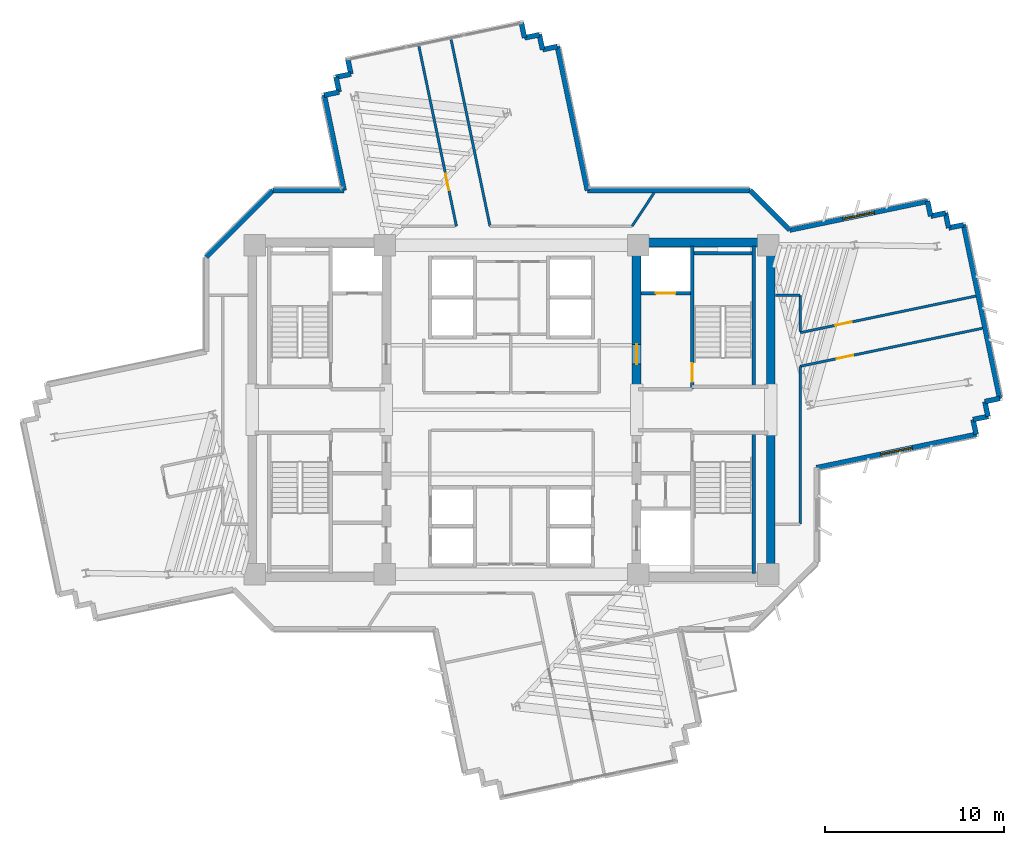
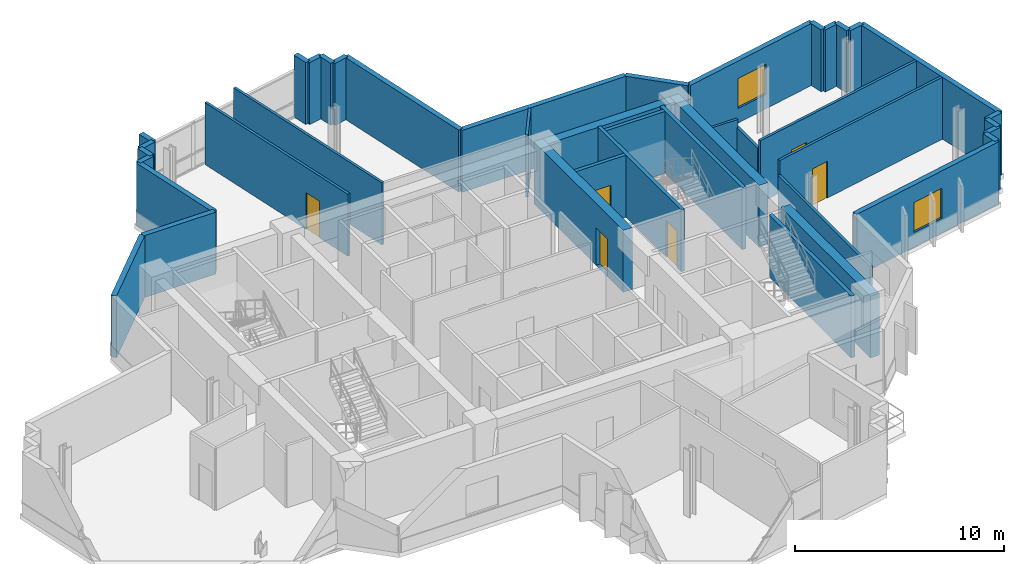
# One storey, part 10 of 14: 42 walls, 6 doors, 2 windows, 8 openings.
"""IFC4 building model written with IfcOpenShell, lengths in metres."""

from ifc_helpers import new_model, si_unit, direction, frame, frame_2d, origin, place, context, subcontext, project, spatial, rectangle, extrude, source, transform, mapped, material, layer, layer_set, type_object, element, fill, save


model = new_model("IFC4")

# Units and contexts
model_context = context("Model", 3, precision=1e-05, world=origin(), true_north=direction((0.0, 1.0)))
body_context = subcontext(model_context, "Body", "Model", "MODEL_VIEW")
ifc_project = project(units=[si_unit("LENGTHUNIT", "METRE"), si_unit("AREAUNIT", "SQUARE_METRE"), si_unit("VOLUMEUNIT", "CUBIC_METRE"), si_unit("PLANEANGLEUNIT", "RADIAN"), si_unit("MASSUNIT", "GRAM", prefix="KILO")], contexts=[model_context])

# Site, building, storey
site_placement = place(None, origin())
site = spatial("IfcSite", under=ifc_project, at=site_placement, CompositionType="ELEMENT")
building_placement = place(site_placement, origin())
building = spatial("IfcBuilding", under=site, at=building_placement, Name="Zahravan Cultural Tower", CompositionType="ELEMENT")
storey_placement = place(building_placement, frame((0.0, 0.0, 166.800048828125)))
storey = spatial("IfcBuildingStorey", under=building, at=storey_placement, Name="L38", CompositionType="ELEMENT", Elevation=166.800048828125)

# Wall, opening, door
ifc_material_1 = material(Name="Concrete C60/75", Category="concrete")
ifc_layer_1 = layer(ifc_material_1, 0.5)
ifc_layer_set_1 = layer_set([ifc_layer_1], Name="Concrete C60/75")
wall_type_1 = type_object("IfcWallType", Name="CW-SHEAR-500-C60", PredefinedType="SHEAR", material=ifc_layer_set_1)
wall_1_placement = place(storey_placement, frame((43.0, 28.050048828125, 0.0), z_axis=(0.0, 0.0, 1.0), x_axis=(0.0, 1.0, 0.0)))
wall_1 = element("IfcWall", 1, at=wall_1_placement, inside=storey, type_object=wall_type_1, Name="L38 Core Shear Wall CW-E-WN-L38", PredefinedType="SHEAR", context=body_context, shape_type="SweptSolid", body=[
    extrude(rectangle(XDim=8.550048828125, YDim=0.5, at=frame_2d((4.27490234375, 0.0))), origin(), (0.0, 0.0, 1.0), 3.619873046875),
])
opening_1_placement = place(wall_1_placement, frame((1.5, 0.0, 0.0)))
opening_1 = element("IfcOpeningElement", 2, at=opening_1_placement, cuts=wall_1, Name="Opening D-L38-06", PredefinedType="OPENING", context=body_context, shape_type="SweptSolid", body=[
    extrude(rectangle(XDim=1.10009765625, YDim=2.199951171875, at=frame_2d((0.550048828125, 1.10009765625))), frame((0.0, 0.260009765625, 0.0), z_axis=(0.0, -1.0, 0.0), x_axis=(1.0, 0.0, 0.0)), (0.0, 0.0, 1.0), 0.52001953125),
])
ifc_material_2 = material(Name="Steel ASTM A572 Grade 50", Category="steel")
door_type_1 = type_object("IfcDoorType", Name="DR-LOBBY-1100", OperationType="NOTDEFINED", PredefinedType="DOOR", material=ifc_material_2)
shared_shape_1 = source(origin(), body_context, "Body", "SweptSolid", [
    extrude(rectangle(XDim=1.10009765625, YDim=2.199951171875, at=frame_2d((0.550048828125, 1.10009765625))), frame((0.0, 0.02490234375, 0.0), z_axis=(0.0, -1.0, 0.0), x_axis=(1.0, 0.0, 0.0)), (0.0, 0.0, 1.0), 0.050048828125),
])
door_1_placement = place(opening_1_placement, origin())
door_1 = element("IfcDoor", 3, at=door_1_placement, inside=storey, type_object=door_type_1, Name="L38 Door D-L38-06", OperationType="SINGLE_SWING_LEFT", OverallHeight=2.199951171875, OverallWidth=1.10009765625, PredefinedType="DOOR", context=body_context, shape_type="MappedRepresentation", body=[
    mapped(shared_shape_1, transform((0.0, 0.0, 0.0), x_axis=(1.0, 0.0, 0.0), y_axis=(0.0, 1.0, 0.0), z_axis=(0.0, 0.0, 1.0), scale=1.0)),
])
fill(opening_1, door_1)

# Wall, opening, window
ifc_material_3 = material(Name="Precast concrete C40/50", Category="concrete")
ifc_layer_2 = layer(ifc_material_3, 0.280029296875)
ifc_layer_set_2 = layer_set([ifc_layer_2], Name="Precast concrete C40/50")
wall_type_2 = type_object("IfcWallType", Name="EW-TC-280", PredefinedType="SOLIDWALL", material=ifc_layer_set_2)
wall_2_placement = place(storey_placement, frame((51.5546875, 37.047119140625, 0.0), z_axis=(0.0, 0.0, 1.0), x_axis=(0.978938136474, 0.204157108515, 0.0)))
wall_2 = element("IfcWall", 4, at=wall_2_placement, inside=storey, type_object=wall_type_2, Name="L38 Exterior Masonry Frame Wall 01", PredefinedType="SOLIDWALL", context=body_context, shape_type="SweptSolid", body=[
    extrude(rectangle(XDim=7.8818359375, YDim=0.280029296875, at=frame_2d((3.94091796875, 0.0))), origin(), (0.0, 0.0, 1.0), 3.619873046875),
])
opening_2_placement = place(wall_2_placement, frame((3.041015625, 0.0, 0.85009765625)))
opening_2 = element("IfcOpeningElement", 5, at=opening_2_placement, cuts=wall_2, Name="Opening WN-02", PredefinedType="OPENING", context=body_context, shape_type="SweptSolid", body=[
    extrude(rectangle(XDim=1.800048828125, YDim=1.75, at=frame_2d((0.89990234375, 0.875))), frame((0.0, 0.14990234375, 0.0), z_axis=(0.0, -1.0, 0.0), x_axis=(1.0, 0.0, 0.0)), (0.0, 0.0, 1.0), 0.300048828125),
])
ifc_material_4 = material(Name="Low-E solar-control double glazing", Category="glass")
window_type = type_object("IfcWindowType", Name="WN-REC-1800X1750", PartitioningType="DOUBLE_PANEL_VERTICAL", PredefinedType="WINDOW", material=ifc_material_4)
shared_shape_2 = source(origin(), body_context, "Body", "SweptSolid", [
    extrude(rectangle(XDim=1.800048828125, YDim=1.75, at=frame_2d((0.89990234375, 0.875))), frame((0.0, 0.030029296875, 0.0), z_axis=(0.0, -1.0, 0.0), x_axis=(1.0, 0.0, 0.0)), (0.0, 0.0, 1.0), 0.06005859375),
])
window_1_placement = place(opening_2_placement, origin())
window_1 = element("IfcWindow", 6, at=window_1_placement, inside=storey, type_object=window_type, Name="L38 Recessed Solar Window 01", OverallHeight=1.75, OverallWidth=1.800048828125, PartitioningType="DOUBLE_PANEL_VERTICAL", PredefinedType="WINDOW", context=body_context, shape_type="MappedRepresentation", body=[
    mapped(shared_shape_2, transform((0.0, 0.0, 0.0), x_axis=(1.0, 0.0, 0.0), y_axis=(0.0, 1.0, 0.0), z_axis=(0.0, 0.0, 1.0), scale=1.0)),
])
fill(opening_2, window_1)

wall_3_placement = place(storey_placement, frame((61.98974609375, 25.61669921875, 0.0), z_axis=(0.0, 0.0, 1.0), x_axis=(-0.978937646314, -0.204159458828, 0.0)))
wall_3 = element("IfcWall", 7, at=wall_3_placement, inside=storey, type_object=wall_type_2, Name="L38 Exterior Masonry Frame Wall 11", PredefinedType="SOLIDWALL", context=body_context, shape_type="SweptSolid", body=[
    extrude(rectangle(XDim=9.121826171875, YDim=0.280029296875, at=frame_2d((4.56103515625, 0.0))), origin(), (0.0, 0.0, 1.0), 3.619873046875),
])
opening_3_placement = place(wall_3_placement, frame((3.660888671875, 0.0, 0.85009765625)))
opening_3 = element("IfcOpeningElement", 8, at=opening_3_placement, cuts=wall_3, Name="Opening WN-02", PredefinedType="OPENING", context=body_context, shape_type="SweptSolid", body=[
    extrude(rectangle(XDim=1.800048828125, YDim=1.75, at=frame_2d((0.89990234375, 0.875))), frame((0.0, 0.14990234375, 0.0), z_axis=(0.0, -1.0, 0.0), x_axis=(1.0, 0.0, 0.0)), (0.0, 0.0, 1.0), 0.300048828125),
])
window_2_placement = place(opening_3_placement, origin())
window_2 = element("IfcWindow", 9, at=window_2_placement, inside=storey, type_object=window_type, Name="L38 Recessed Solar Window 02", OverallHeight=1.75, OverallWidth=1.800048828125, PartitioningType="DOUBLE_PANEL_VERTICAL", PredefinedType="WINDOW", context=body_context, shape_type="MappedRepresentation", body=[
    mapped(shared_shape_2, transform((0.0, 0.0, 0.0), x_axis=(1.0, 0.0, 0.0), y_axis=(0.0, 1.0, 0.0), z_axis=(0.0, 0.0, 1.0), scale=1.0)),
])
fill(opening_3, window_2)

# Wall, opening, door
ifc_material_5 = material(Name="Gypsum plasterboard partition")
ifc_layer_3 = layer(ifc_material_5, 0.139892578125)
ifc_layer_set_3 = layer_set([ifc_layer_3], Name="Gypsum plasterboard partition")
wall_type_3 = type_object("IfcWallType", Name="W-PART-140", PredefinedType="PARTITIONING", material=ifc_layer_set_3)
wall_4_placement = place(storey_placement, frame((30.823486328125, 47.316162109375, 0.0), z_axis=(0.0, 0.0, 1.0), x_axis=(0.204130779611, -0.978943626985, 0.0)))
wall_4 = element("IfcWall", 10, at=wall_4_placement, inside=storey, type_object=wall_type_3, Name="L38 Interior Wall 091", PredefinedType="PARTITIONING", context=body_context, shape_type="SweptSolid", body=[
    extrude(rectangle(XDim=10.2724609375, YDim=0.139892578125, at=frame_2d((5.13623046875, 0.0))), origin(), (0.0, 0.0, 1.0), 3.619873046875),
])
opening_4_placement = place(wall_4_placement, frame((7.271484375, 0.0, 0.0)))
opening_4 = element("IfcOpeningElement", 11, at=opening_4_placement, cuts=wall_4, Name="Opening D-L38-23", PredefinedType="OPENING", context=body_context, shape_type="SweptSolid", body=[
    extrude(rectangle(XDim=0.949951171875, YDim=2.14990234375, at=frame_2d((0.47509765625, 1.074951171875))), frame((0.0, 0.079833984375, 0.0), z_axis=(0.0, -1.0, 0.0), x_axis=(1.0, 0.0, 0.0)), (0.0, 0.0, 1.0), 0.159912109375),
])
ifc_material_6 = material(Name="Anodised bronze-aluminium mullion", Category="aluminium")
door_type_2 = type_object("IfcDoorType", Name="DR-ROOM-950", OperationType="NOTDEFINED", PredefinedType="DOOR", material=ifc_material_6)
shared_shape_3 = source(origin(), body_context, "Body", "SweptSolid", [
    extrude(rectangle(XDim=0.949951171875, YDim=2.14990234375, at=frame_2d((0.47509765625, 1.074951171875))), frame((0.0, 0.02490234375, 0.0), z_axis=(0.0, -1.0, 0.0), x_axis=(1.0, 0.0, 0.0)), (0.0, 0.0, 1.0), 0.050048828125),
])
door_2_placement = place(opening_4_placement, origin())
door_2 = element("IfcDoor", 12, at=door_2_placement, inside=storey, type_object=door_type_2, Name="L38 Door D-L38-23", OperationType="SINGLE_SWING_RIGHT", OverallHeight=2.14990234375, OverallWidth=0.949951171875, PredefinedType="DOOR", context=body_context, shape_type="MappedRepresentation", body=[
    mapped(shared_shape_3, transform((0.0, 0.0, 0.0), x_axis=(1.0, 0.0, 0.0), y_axis=(0.0, 1.0, 0.0), z_axis=(0.0, 0.0, 1.0), scale=1.0)),
])
fill(opening_4, door_2)

wall_5_placement = place(storey_placement, frame((52.150146484375, 29.42822265625, 0.0), z_axis=(0.0, 0.0, 1.0), x_axis=(0.978935516763, 0.204169669688, 0.0)))
wall_5 = element("IfcWall", 13, at=wall_5_placement, inside=storey, type_object=wall_type_3, Name="L38 Interior Wall 095", PredefinedType="PARTITIONING", context=body_context, shape_type="SweptSolid", body=[
    extrude(rectangle(XDim=10.4091796875, YDim=0.139892578125, at=frame_2d((5.20458984375, 0.0))), origin(), (0.0, 0.0, 1.0), 3.619873046875),
])
opening_5_placement = place(wall_5_placement, frame((2.0810546875, 0.0, 0.0)))
opening_5 = element("IfcOpeningElement", 14, at=opening_5_placement, cuts=wall_5, Name="Opening D-L38-20", PredefinedType="OPENING", context=body_context, shape_type="SweptSolid", body=[
    extrude(rectangle(XDim=0.949951171875, YDim=2.14990234375, at=frame_2d((0.47509765625, 1.074951171875))), frame((0.0, 0.079833984375, 0.0), z_axis=(0.0, -1.0, 0.0), x_axis=(1.0, 0.0, 0.0)), (0.0, 0.0, 1.0), 0.159912109375),
])
door_3_placement = place(opening_5_placement, origin())
door_3 = element("IfcDoor", 15, at=door_3_placement, inside=storey, type_object=door_type_2, Name="L38 Door D-L38-20", OperationType="SINGLE_SWING_LEFT", OverallHeight=2.14990234375, OverallWidth=0.949951171875, PredefinedType="DOOR", context=body_context, shape_type="MappedRepresentation", body=[
    mapped(shared_shape_3, transform((0.0, 0.0, 0.0), x_axis=(1.0, 0.0, 0.0), y_axis=(0.0, 1.0, 0.0), z_axis=(0.0, 0.0, 1.0), scale=1.0)),
])
fill(opening_5, door_3)

wall_6_placement = place(storey_placement, frame((61.964599609375, 33.3544921875, 0.0), z_axis=(0.0, 0.0, 1.0), x_axis=(-0.978942518705, -0.204136094483, 0.0)))
wall_6 = element("IfcWall", 16, at=wall_6_placement, inside=storey, type_object=wall_type_3, Name="L38 Interior Wall 097", PredefinedType="PARTITIONING", context=body_context, shape_type="SweptSolid", body=[
    extrude(rectangle(XDim=10.02587890625, YDim=0.139892578125, at=frame_2d((5.012939453125, 0.0))), origin(), (0.0, 0.0, 1.0), 3.619873046875),
])
opening_6_placement = place(wall_6_placement, frame((7.0791015625, 0.0, 0.0)))
opening_6 = element("IfcOpeningElement", 17, at=opening_6_placement, cuts=wall_6, Name="Opening D-L38-21", PredefinedType="OPENING", context=body_context, shape_type="SweptSolid", body=[
    extrude(rectangle(XDim=0.949951171875, YDim=2.14990234375, at=frame_2d((0.47509765625, 1.074951171875))), frame((0.0, 0.079833984375, 0.0), z_axis=(0.0, -1.0, 0.0), x_axis=(1.0, 0.0, 0.0)), (0.0, 0.0, 1.0), 0.159912109375),
])
door_4_placement = place(opening_6_placement, origin())
door_4 = element("IfcDoor", 18, at=door_4_placement, inside=storey, type_object=door_type_2, Name="L38 Door D-L38-21", OperationType="SINGLE_SWING_RIGHT", OverallHeight=2.14990234375, OverallWidth=0.949951171875, PredefinedType="DOOR", context=body_context, shape_type="MappedRepresentation", body=[
    mapped(shared_shape_3, transform((0.0, 0.0, 0.0), x_axis=(1.0, 0.0, 0.0), y_axis=(0.0, 1.0, 0.0), z_axis=(0.0, 0.0, 1.0), scale=1.0)),
])
fill(opening_6, door_4)

ifc_material_7 = material(Name="Concrete C45/55", Category="concrete")
ifc_layer_4 = layer(ifc_material_7, 0.199951171875)
ifc_layer_set_4 = layer_set([ifc_layer_4], Name="Concrete C45/55")
wall_type_4 = type_object("IfcWallType", Name="W-SHAFT-200", PredefinedType="SOLIDWALL", material=ifc_layer_set_4)
wall_7_placement = place(storey_placement, frame((46.10009765625, 28.14990234375, 0.0), z_axis=(0.0, 0.0, 1.0), x_axis=(0.0, 1.0, 0.0)))
wall_7 = element("IfcWall", 19, at=wall_7_placement, inside=storey, type_object=wall_type_4, Name="L38 Interior Wall 008", PredefinedType="SOLIDWALL", context=body_context, shape_type="SweptSolid", body=[
    extrude(rectangle(XDim=8.0, YDim=0.199951171875, at=frame_2d((4.0, 0.0))), origin(), (0.0, 0.0, 1.0), 3.619873046875),
])
opening_7_placement = place(wall_7_placement, frame((0.39990234375, 0.0, 0.0)))
opening_7 = element("IfcOpeningElement", 20, at=opening_7_placement, cuts=wall_7, Name="Opening D-L38-02", PredefinedType="OPENING", context=body_context, shape_type="SweptSolid", body=[
    extrude(rectangle(XDim=1.050048828125, YDim=2.14990234375, at=frame_2d((0.52490234375, 1.074951171875))), frame((0.0, 0.10986328125, 0.0), z_axis=(0.0, -1.0, 0.0), x_axis=(1.0, 0.0, 0.0)), (0.0, 0.0, 1.0), 0.219970703125),
])
door_type_3 = type_object("IfcDoorType", Name="DR-STAIR-1050", OperationType="NOTDEFINED", PredefinedType="DOOR", material=ifc_material_2)
shared_shape_4 = source(origin(), body_context, "Body", "SweptSolid", [
    extrude(rectangle(XDim=1.050048828125, YDim=2.14990234375, at=frame_2d((0.52490234375, 1.074951171875))), frame((0.0, 0.02490234375, 0.0), z_axis=(0.0, -1.0, 0.0), x_axis=(1.0, 0.0, 0.0)), (0.0, 0.0, 1.0), 0.050048828125),
])
door_5_placement = place(opening_7_placement, origin())
door_5 = element("IfcDoor", 21, at=door_5_placement, inside=storey, type_object=door_type_3, Name="L38 Door D-L38-02", OperationType="SINGLE_SWING_LEFT", OverallHeight=2.14990234375, OverallWidth=1.050048828125, PredefinedType="DOOR", context=body_context, shape_type="MappedRepresentation", body=[
    mapped(shared_shape_4, transform((0.0, 0.0, 0.0), x_axis=(1.0, 0.0, 0.0), y_axis=(0.0, 1.0, 0.0), z_axis=(0.0, 0.0, 1.0), scale=1.0)),
])
fill(opening_7, door_5)

wall_8_placement = place(storey_placement, frame((43.25, 33.52001953125, 0.0), z_axis=(0.0, 0.0, 1.0), x_axis=(1.0, 0.0, 0.0)))
wall_8 = element("IfcWall", 22, at=wall_8_placement, inside=storey, type_object=wall_type_4, Name="L38 Interior Wall 022", PredefinedType="SOLIDWALL", context=body_context, shape_type="SweptSolid", body=[
    extrude(rectangle(XDim=2.75, YDim=0.199951171875, at=frame_2d((1.375, 0.0))), origin(), (0.0, 0.0, 1.0), 3.619873046875),
])
opening_8_placement = place(wall_8_placement, frame((0.820068359375, 0.0, 0.0)))
opening_8 = element("IfcOpeningElement", 23, at=opening_8_placement, cuts=wall_8, Name="Opening LD-L38-02", PredefinedType="OPENING", context=body_context, shape_type="SweptSolid", body=[
    extrude(rectangle(XDim=1.10009765625, YDim=2.14990234375, at=frame_2d((0.550048828125, 1.074951171875))), frame((0.0, 0.10986328125, 0.0), z_axis=(0.0, -1.0, 0.0), x_axis=(1.0, 0.0, 0.0)), (0.0, 0.0, 1.0), 0.219970703125),
])
door_type_4 = type_object("IfcDoorType", Name="DR-LIFT-1100", OperationType="DOUBLE_DOOR_SLIDING", PredefinedType="DOOR", material=ifc_material_2)
shared_shape_5 = source(origin(), body_context, "Body", "SweptSolid", [
    extrude(rectangle(XDim=1.10009765625, YDim=2.14990234375, at=frame_2d((0.550048828125, 1.074951171875))), frame((0.0, 0.02490234375, 0.0), z_axis=(0.0, -1.0, 0.0), x_axis=(1.0, 0.0, 0.0)), (0.0, 0.0, 1.0), 0.050048828125),
])
door_6_placement = place(opening_8_placement, origin())
door_6 = element("IfcDoor", 24, at=door_6_placement, inside=storey, type_object=door_type_4, Name="L38 Door LD-L38-02", OperationType="DOUBLE_DOOR_SLIDING", OverallHeight=2.14990234375, OverallWidth=1.10009765625, PredefinedType="DOOR", context=body_context, shape_type="MappedRepresentation", body=[
    mapped(shared_shape_5, transform((0.0, 0.0, 0.0), x_axis=(1.0, 0.0, 0.0), y_axis=(0.0, 1.0, 0.0), z_axis=(0.0, 0.0, 1.0), scale=1.0)),
])
fill(opening_8, door_6)

# Walls
shared_shape_6 = source(origin(), body_context, "Body", "SweptSolid", [
    extrude(rectangle(XDim=8.550048828125, YDim=0.5, at=frame_2d((4.27490234375, 0.0))), origin(), (0.0, 0.0, 1.0), 3.619873046875),
])
for number, where, z_axis, x_axis, name in (
    (25, (50.5, 17.39990234375, 0.0), (0.0, 0.0, 1.0), (0.0, 1.0, 0.0), "L38 Core Shear Wall CW-E-ES-L38"),
    (26, (50.5, 28.050048828125, 0.0), (0.0, 0.0, 1.0), (0.0, 1.0, 0.0), "L38 Core Shear Wall CW-E-EN-L38"),
):
    element("IfcWall", number, at=place(storey_placement, frame(where, z_axis=z_axis, x_axis=x_axis)), inside=storey, type_object=wall_type_1, Name=name, PredefinedType="SHEAR", context=body_context, shape_type="MappedRepresentation", body=[
        mapped(shared_shape_6, transform((0.0, 0.0, 0.0), x_axis=(1.0, 0.0, 0.0), y_axis=(0.0, 1.0, 0.0), z_axis=(0.0, 0.0, 1.0), scale=1.0)),
    ])
shared_shape_7 = source(origin(), body_context, "Body", "SweptSolid", [
    extrude(rectangle(XDim=7.0, YDim=0.5, at=frame_2d((3.5, 0.0))), origin(), (0.0, 0.0, 1.0), 3.619873046875),
])
wall_9_placement = place(storey_placement, frame((43.25, 36.35009765625, 0.0), z_axis=(0.0, 0.0, 1.0), x_axis=(1.0, 0.0, 0.0)))
element("IfcWall", 27, at=wall_9_placement, inside=storey, type_object=wall_type_1, Name="L38 Core Shear Wall CW-E-N-L38", PredefinedType="SHEAR", context=body_context, shape_type="MappedRepresentation", body=[
    mapped(shared_shape_7, transform((0.0, 0.0, 0.0), x_axis=(1.0, 0.0, 0.0), y_axis=(0.0, 1.0, 0.0), z_axis=(0.0, 0.0, 1.0), scale=1.0)),
])
shared_shape_8 = source(origin(), body_context, "Body", "SweptSolid", [
    extrude(rectangle(XDim=0.85009765625, YDim=0.280029296875, at=frame_2d((0.425048828125, 0.0))), origin(), (0.0, 0.0, 1.0), 3.619873046875),
])
for number, where, z_axis, x_axis, name in (
    (28, (61.81640625, 26.448974609375, 0.0), (0.0, 0.0, 1.0), (0.203896913579, -0.97899236393, 0.0), "L38 Exterior Masonry Frame Wall 10"),
    (29, (26.186279296875, 45.59814453125, 0.0), (0.0, 0.0, 1.0), (0.97893500384, 0.204172128991, 0.0), "L38 Exterior Masonry Frame Wall 44"),
    (30, (37.735107421875, 47.138427734375, 0.0), (0.0, 0.0, 1.0), (0.97893500384, 0.204172128991, 0.0), "L38 Exterior Masonry Frame Wall 49"),
):
    element("IfcWall", number, at=place(storey_placement, frame(where, z_axis=z_axis, x_axis=x_axis)), inside=storey, type_object=wall_type_2, Name=name, PredefinedType="SOLIDWALL", context=body_context, shape_type="MappedRepresentation", body=[
        mapped(shared_shape_8, transform((0.0, 0.0, 0.0), x_axis=(1.0, 0.0, 0.0), y_axis=(0.0, 1.0, 0.0), z_axis=(0.0, 0.0, 1.0), scale=1.0)),
    ])
shared_shape_9 = source(origin(), body_context, "Body", "SweptSolid", [
    extrude(rectangle(XDim=5.258056640625, YDim=0.280029296875, at=frame_2d((2.62890625, 0.0))), origin(), (0.0, 0.0, 1.0), 3.619873046875),
])
wall_10_placement = place(storey_placement, frame((18.93994140625, 35.5419921875, 0.0), z_axis=(0.0, 0.0, 1.0), x_axis=(0.707106781187, 0.707106781187, 0.0)))
element("IfcWall", 31, at=wall_10_placement, inside=storey, type_object=wall_type_2, Name="L38 Exterior Masonry Frame Wall 39", PredefinedType="SOLIDWALL", context=body_context, shape_type="MappedRepresentation", body=[
    mapped(shared_shape_9, transform((0.0, 0.0, 0.0), x_axis=(1.0, 0.0, 0.0), y_axis=(0.0, 1.0, 0.0), z_axis=(0.0, 0.0, 1.0), scale=1.0)),
])
shared_shape_10 = source(origin(), body_context, "Body", "SweptSolid", [
    extrude(rectangle(XDim=0.849853515625, YDim=0.280029296875, at=frame_2d((0.4248046875, 0.0))), origin(), (0.0, 0.0, 1.0), 3.619873046875),
])
for number, where, z_axis, x_axis, name in (
    (32, (59.2705078125, 38.65625, 0.0), (0.0, 0.0, 1.0), (0.203954254112, -0.978980419738, 0.0), "L38 Exterior Masonry Frame Wall 02"),
    (33, (59.44384765625, 37.82421875, 0.0), (0.0, 0.0, 1.0), (0.978923028084, 0.20422954019, 0.0), "L38 Exterior Masonry Frame Wall 03"),
    (34, (60.44970703125, 37.16552734375, 0.0), (0.0, 0.0, 1.0), (0.978923028084, 0.20422954019, 0.0), "L38 Exterior Masonry Frame Wall 05"),
    (35, (63.306884765625, 27.628173828125, 0.0), (0.0, 0.0, 1.0), (-0.978923028084, -0.20422954019, 0.0), "L38 Exterior Masonry Frame Wall 07"),
    (36, (62.474853515625, 27.45458984375, 0.0), (0.0, 0.0, 1.0), (0.20422954019, -0.978923028084, 0.0), "L38 Exterior Masonry Frame Wall 08"),
    (37, (62.6484375, 26.62255859375, 0.0), (0.0, 0.0, 1.0), (-0.978923028084, -0.20422954019, 0.0), "L38 Exterior Masonry Frame Wall 09"),
    (38, (25.52783203125, 44.592529296875, 0.0), (0.0, 0.0, 1.0), (0.978923028084, 0.20422954019, 0.0), "L38 Exterior Masonry Frame Wall 42"),
    (39, (26.35986328125, 44.76611328125, 0.0), (0.0, 0.0, 1.0), (-0.20422954019, 0.978923028084, 0.0), "L38 Exterior Masonry Frame Wall 43"),
    (40, (27.0185546875, 45.771728515625, 0.0), (0.0, 0.0, 1.0), (-0.20422954019, 0.978923028084, 0.0), "L38 Exterior Masonry Frame Wall 45"),
    (41, (36.555908203125, 48.629150390625, 0.0), (0.0, 0.0, 1.0), (0.20422954019, -0.978923028084, 0.0), "L38 Exterior Masonry Frame Wall 46"),
    (42, (36.7294921875, 47.797119140625, 0.0), (0.0, 0.0, 1.0), (0.978980419738, 0.203954254112, 0.0), "L38 Exterior Masonry Frame Wall 47"),
    (43, (37.5615234375, 47.970458984375, 0.0), (0.0, 0.0, 1.0), (0.20422954019, -0.978923028084, 0.0), "L38 Exterior Masonry Frame Wall 48"),
):
    element("IfcWall", number, at=place(storey_placement, frame(where, z_axis=z_axis, x_axis=x_axis)), inside=storey, type_object=wall_type_2, Name=name, PredefinedType="SOLIDWALL", context=body_context, shape_type="MappedRepresentation", body=[
        mapped(shared_shape_10, transform((0.0, 0.0, 0.0), x_axis=(1.0, 0.0, 0.0), y_axis=(0.0, 1.0, 0.0), z_axis=(0.0, 0.0, 1.0), scale=1.0)),
    ])
shared_shape_11 = source(origin(), body_context, "Body", "SweptSolid", [
    extrude(rectangle(XDim=9.919921875, YDim=0.280029296875, at=frame_2d((4.9599609375, 0.0))), origin(), (0.0, 0.0, 1.0), 3.619873046875),
])
wall_11_placement = place(storey_placement, frame((61.28173828125, 37.339111328125, 0.0), z_axis=(0.0, 0.0, 1.0), x_axis=(0.204150812873, -0.978939449406, 0.0)))
element("IfcWall", 44, at=wall_11_placement, inside=storey, type_object=wall_type_2, Name="L38 Exterior Masonry Frame Wall 06", PredefinedType="SOLIDWALL", context=body_context, shape_type="MappedRepresentation", body=[
    mapped(shared_shape_11, transform((0.0, 0.0, 0.0), x_axis=(1.0, 0.0, 0.0), y_axis=(0.0, 1.0, 0.0), z_axis=(0.0, 0.0, 1.0), scale=1.0)),
])
shared_shape_12 = source(origin(), body_context, "Body", "SweptSolid", [
    extrude(rectangle(XDim=0.850341796875, YDim=0.280029296875, at=frame_2d((0.42529296875, 0.0))), origin(), (0.0, 0.0, 1.0), 3.619873046875),
])
wall_12_placement = place(storey_placement, frame((60.27587890625, 37.997802734375, 0.0), z_axis=(0.0, 0.0, 1.0), x_axis=(0.204447295999, -0.978877573121, 0.0)))
element("IfcWall", 45, at=wall_12_placement, inside=storey, type_object=wall_type_2, Name="L38 Exterior Masonry Frame Wall 04", PredefinedType="SOLIDWALL", context=body_context, shape_type="MappedRepresentation", body=[
    mapped(shared_shape_12, transform((0.0, 0.0, 0.0), x_axis=(1.0, 0.0, 0.0), y_axis=(0.0, 1.0, 0.0), z_axis=(0.0, 0.0, 1.0), scale=1.0)),
])
shared_shape_13 = source(origin(), body_context, "Body", "SweptSolid", [
    extrude(rectangle(XDim=3.12939453125, YDim=0.280029296875, at=frame_2d((1.564697265625, 0.0))), origin(), (0.0, 0.0, 1.0), 3.619873046875),
])
wall_13_placement = place(storey_placement, frame((49.342041015625, 39.260009765625, 0.0), z_axis=(0.0, 0.0, 1.0), x_axis=(0.707067771627, -0.707145788594, 0.0)))
element("IfcWall", 46, at=wall_13_placement, inside=storey, type_object=wall_type_2, Name="L38 Exterior Masonry Frame Wall 52", PredefinedType="SOLIDWALL", context=body_context, shape_type="MappedRepresentation", body=[
    mapped(shared_shape_13, transform((0.0, 0.0, 0.0), x_axis=(1.0, 0.0, 0.0), y_axis=(0.0, 1.0, 0.0), z_axis=(0.0, 0.0, 1.0), scale=1.0)),
])
shared_shape_14 = source(origin(), body_context, "Body", "SweptSolid", [
    extrude(rectangle(XDim=3.98193359375, YDim=0.280029296875, at=frame_2d((1.990966796875, 0.0))), origin(), (0.0, 0.0, 1.0), 3.619873046875),
])
wall_14_placement = place(storey_placement, frame((22.657958984375, 39.260009765625, 0.0), z_axis=(0.0, 0.0, 1.0), x_axis=(1.0, 0.0, 0.0)))
element("IfcWall", 47, at=wall_14_placement, inside=storey, type_object=wall_type_2, Name="L38 Exterior Masonry Frame Wall 40", PredefinedType="SOLIDWALL", context=body_context, shape_type="MappedRepresentation", body=[
    mapped(shared_shape_14, transform((0.0, 0.0, 0.0), x_axis=(1.0, 0.0, 0.0), y_axis=(0.0, 1.0, 0.0), z_axis=(0.0, 0.0, 1.0), scale=1.0)),
])
shared_shape_15 = source(origin(), body_context, "Body", "SweptSolid", [
    extrude(rectangle(XDim=5.447265625, YDim=0.280029296875, at=frame_2d((2.7236328125, 0.0))), origin(), (0.0, 0.0, 1.0), 3.619873046875),
])
wall_15_placement = place(storey_placement, frame((26.639892578125, 39.260009765625, 0.0), z_axis=(0.0, 0.0, 1.0), x_axis=(-0.204151126022, 0.978939384101, 0.0)))
element("IfcWall", 48, at=wall_15_placement, inside=storey, type_object=wall_type_2, Name="L38 Exterior Masonry Frame Wall 41", PredefinedType="SOLIDWALL", context=body_context, shape_type="MappedRepresentation", body=[
    mapped(shared_shape_15, transform((0.0, 0.0, 0.0), x_axis=(1.0, 0.0, 0.0), y_axis=(0.0, 1.0, 0.0), z_axis=(0.0, 0.0, 1.0), scale=1.0)),
])
shared_shape_16 = source(origin(), body_context, "Body", "SweptSolid", [
    extrude(rectangle(XDim=8.225341796875, YDim=0.280029296875, at=frame_2d((4.11279296875, 0.0))), origin(), (0.0, 0.0, 1.0), 3.619873046875),
])
wall_16_placement = place(storey_placement, frame((38.5673828125, 47.31201171875, 0.0), z_axis=(0.0, 0.0, 1.0), x_axis=(0.204152195211, -0.978939161128, 0.0)))
element("IfcWall", 49, at=wall_16_placement, inside=storey, type_object=wall_type_2, Name="L38 Exterior Masonry Frame Wall 50", PredefinedType="SOLIDWALL", context=body_context, shape_type="MappedRepresentation", body=[
    mapped(shared_shape_16, transform((0.0, 0.0, 0.0), x_axis=(1.0, 0.0, 0.0), y_axis=(0.0, 1.0, 0.0), z_axis=(0.0, 0.0, 1.0), scale=1.0)),
])
shared_shape_17 = source(origin(), body_context, "Body", "SweptSolid", [
    extrude(rectangle(XDim=9.095458984375, YDim=0.280029296875, at=frame_2d((4.5478515625, 0.0))), origin(), (0.0, 0.0, 1.0), 3.619873046875),
])
wall_17_placement = place(storey_placement, frame((40.24658203125, 39.260009765625, 0.0), z_axis=(0.0, 0.0, 1.0), x_axis=(1.0, 0.0, 0.0)))
element("IfcWall", 50, at=wall_17_placement, inside=storey, type_object=wall_type_2, Name="L38 Exterior Masonry Frame Wall 51", PredefinedType="SOLIDWALL", context=body_context, shape_type="MappedRepresentation", body=[
    mapped(shared_shape_17, transform((0.0, 0.0, 0.0), x_axis=(1.0, 0.0, 0.0), y_axis=(0.0, 1.0, 0.0), z_axis=(0.0, 0.0, 1.0), scale=1.0)),
])
shared_shape_18 = source(origin(), body_context, "Body", "SweptSolid", [
    extrude(rectangle(XDim=7.869873046875, YDim=0.199951171875, at=frame_2d((3.93505859375, 0.0))), origin(), (0.0, 0.0, 1.0), 3.619873046875),
])
for number, where, z_axis, x_axis, name in (
    (51, (49.550048828125, 17.85009765625, 0.0), (0.0, 0.0, 1.0), (0.0, 1.0, 0.0), "L38 Interior Wall 003"),
    (52, (49.550048828125, 28.280029296875, 0.0), (0.0, 0.0, 1.0), (0.0, 1.0, 0.0), "L38 Interior Wall 004"),
):
    element("IfcWall", number, at=place(storey_placement, frame(where, z_axis=z_axis, x_axis=x_axis)), inside=storey, type_object=wall_type_4, Name=name, PredefinedType="SOLIDWALL", context=body_context, shape_type="MappedRepresentation", body=[
        mapped(shared_shape_18, transform((0.0, 0.0, 0.0), x_axis=(1.0, 0.0, 0.0), y_axis=(0.0, 1.0, 0.0), z_axis=(0.0, 0.0, 1.0), scale=1.0)),
    ])
shared_shape_19 = source(origin(), body_context, "Body", "SweptSolid", [
    extrude(rectangle(XDim=3.25, YDim=0.199951171875, at=frame_2d((1.625, 0.0))), origin(), (0.0, 0.0, 1.0), 3.619873046875),
])
wall_18_placement = place(storey_placement, frame((46.199951171875, 35.75, 0.0), z_axis=(0.0, 0.0, 1.0), x_axis=(1.0, 0.0, 0.0)))
element("IfcWall", 53, at=wall_18_placement, inside=storey, type_object=wall_type_4, Name="L38 Interior Wall 018", PredefinedType="SOLIDWALL", context=body_context, shape_type="MappedRepresentation", body=[
    mapped(shared_shape_19, transform((0.0, 0.0, 0.0), x_axis=(1.0, 0.0, 0.0), y_axis=(0.0, 1.0, 0.0), z_axis=(0.0, 0.0, 1.0), scale=1.0)),
])
shared_shape_20 = source(origin(), body_context, "Body", "SweptSolid", [
    extrude(rectangle(XDim=1.39404296875, YDim=0.139892578125, at=frame_2d((0.697021484375, 0.0))), origin(), (0.0, 0.0, 1.0), 3.619873046875),
])
wall_19_placement = place(storey_placement, frame((52.14892578125, 33.39892578125, 0.0), z_axis=(0.0, 0.0, 1.0), x_axis=(-0.999999754632, 0.000700525222, 0.0)))
element("IfcWall", 54, at=wall_19_placement, inside=storey, type_object=wall_type_3, Name="L38 Interior Wall 096", PredefinedType="PARTITIONING", context=body_context, shape_type="MappedRepresentation", body=[
    mapped(shared_shape_20, transform((0.0, 0.0, 0.0), x_axis=(1.0, 0.0, 0.0), y_axis=(0.0, 1.0, 0.0), z_axis=(0.0, 0.0, 1.0), scale=1.0)),
])
shared_shape_21 = source(origin(), body_context, "Body", "SweptSolid", [
    extrude(rectangle(XDim=10.656005859375, YDim=0.139892578125, at=frame_2d((5.328125, 0.0))), origin(), (0.0, 0.0, 1.0), 3.619873046875),
])
wall_20_placement = place(storey_placement, frame((34.800048828125, 37.260009765625, 0.0), z_axis=(0.0, 0.0, 1.0), x_axis=(-0.204159189901, 0.978937702399, 0.0)))
element("IfcWall", 55, at=wall_20_placement, inside=storey, type_object=wall_type_3, Name="L38 Interior Wall 089", PredefinedType="PARTITIONING", context=body_context, shape_type="MappedRepresentation", body=[
    mapped(shared_shape_21, transform((0.0, 0.0, 0.0), x_axis=(1.0, 0.0, 0.0), y_axis=(0.0, 1.0, 0.0), z_axis=(0.0, 0.0, 1.0), scale=1.0)),
])
shared_shape_22 = source(origin(), body_context, "Body", "SweptSolid", [
    extrude(rectangle(XDim=2.22412109375, YDim=0.139892578125, at=frame_2d((1.112060546875, 0.0))), origin(), (0.0, 0.0, 1.0), 3.619873046875),
])
wall_21_placement = place(storey_placement, frame((43.969482421875, 39.114990234375, 0.0), z_axis=(0.0, 0.0, 1.0), x_axis=(-0.551783828078, -0.833987174405, 0.0)))
element("IfcWall", 56, at=wall_21_placement, inside=storey, type_object=wall_type_3, Name="L38 Interior Wall 090", PredefinedType="PARTITIONING", context=body_context, shape_type="MappedRepresentation", body=[
    mapped(shared_shape_22, transform((0.0, 0.0, 0.0), x_axis=(1.0, 0.0, 0.0), y_axis=(0.0, 1.0, 0.0), z_axis=(0.0, 0.0, 1.0), scale=1.0)),
])
shared_shape_23 = source(origin(), body_context, "Body", "SweptSolid", [
    extrude(rectangle(XDim=8.820556640625, YDim=0.139892578125, at=frame_2d((4.41015625, 0.0))), origin(), (0.0, 0.0, 1.0), 2.765869140625),
])
wall_22_placement = place(storey_placement, frame((52.149658203125, 20.607666015625, 0.0), z_axis=(0.0, 0.0, 1.0), x_axis=(2.7678596e-05, 0.999999999617, 0.0)))
element("IfcWall", 57, at=wall_22_placement, inside=storey, type_object=wall_type_3, Name="L38 Interior Wall 094", PredefinedType="PARTITIONING", context=body_context, shape_type="MappedRepresentation", body=[
    mapped(shared_shape_23, transform((0.0, 0.0, 0.0), x_axis=(1.0, 0.0, 0.0), y_axis=(0.0, 1.0, 0.0), z_axis=(0.0, 0.0, 1.0), scale=1.0)),
])
shared_shape_24 = source(origin(), body_context, "Body", "SweptSolid", [
    extrude(rectangle(XDim=2.014404296875, YDim=0.139892578125, at=frame_2d((1.00732421875, 0.0))), origin(), (0.0, 0.0, 1.0), 3.14892578125),
])
wall_23_placement = place(storey_placement, frame((52.14990234375, 31.384521484375, 0.0), z_axis=(0.0, 0.0, 1.0), x_axis=(-0.000484789665, 0.999999882489, 0.0)))
element("IfcWall", 58, at=wall_23_placement, inside=storey, type_object=wall_type_3, Name="L38 Interior Wall 098", PredefinedType="PARTITIONING", context=body_context, shape_type="MappedRepresentation", body=[
    mapped(shared_shape_24, transform((0.0, 0.0, 0.0), x_axis=(1.0, 0.0, 0.0), y_axis=(0.0, 1.0, 0.0), z_axis=(0.0, 0.0, 1.0), scale=1.0)),
])

save(model, "model.ifc")
